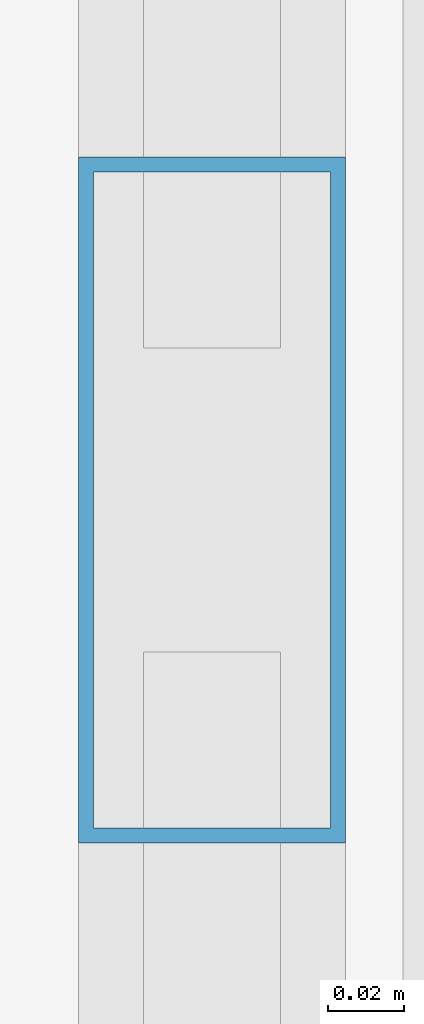
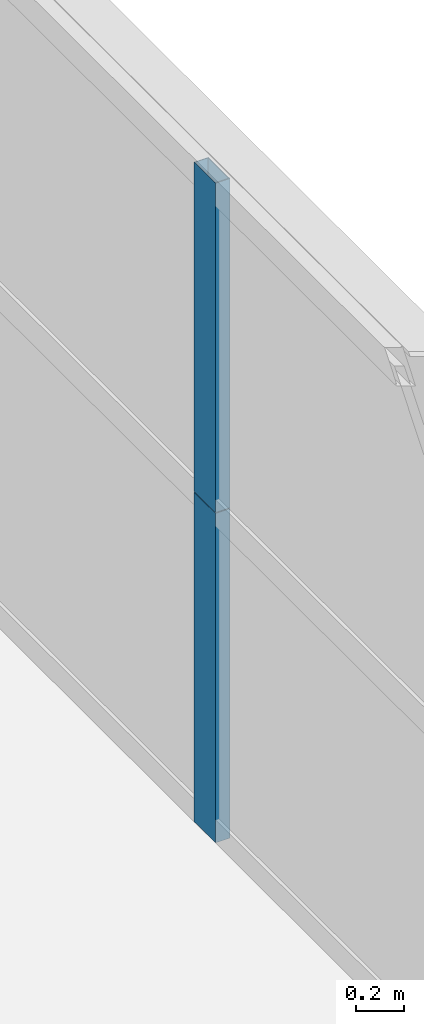
# One storey, part 18 of 41: 2 members, 1 element without a shape of its own.
"""IFC4 building model written with IfcOpenShell, lengths in metres."""

from ifc_helpers import new_model, si_unit, direction, frame, origin, origin_2d, place, context, subcontext, project, spatial, hollow_rectangle, extrude, source, transform, mapped, material, layer, layer_set, material_profile, profile_set, type_object, element, aggregate, save


model = new_model("IFC4")

# Units and contexts
model_context = context("Model", 3, precision=1e-05, world=origin(), true_north=direction((0.0, 1.0)))
body_context = subcontext(model_context, "Body", "Model", "MODEL_VIEW")
ifc_project = project(units=[si_unit("LENGTHUNIT", "METRE"), si_unit("AREAUNIT", "SQUARE_METRE"), si_unit("VOLUMEUNIT", "CUBIC_METRE"), si_unit("PLANEANGLEUNIT", "RADIAN"), si_unit("MASSUNIT", "GRAM", prefix="KILO"), si_unit("THERMODYNAMICTEMPERATUREUNIT", "KELVIN"), si_unit("POWERUNIT", "WATT")], contexts=[model_context])

# Site, building, storey
site_placement = place(None, origin())
site = spatial("IfcSite", under=ifc_project, at=site_placement, CompositionType="ELEMENT")
building_placement = place(site_placement, origin())
building = spatial("IfcBuilding", under=site, at=building_placement, Name="Yuzanri Waterfront Tower", CompositionType="ELEMENT")
storey_placement = place(building_placement, frame((0.0, 0.0, 115.39990234375)))
storey = spatial("IfcBuildingStorey", under=building, at=storey_placement, Name="L30", CompositionType="ELEMENT", Elevation=115.39990234375)

# Curtain wall, members
ifc_material_1 = material(Name="Anodized Architectural Bronze", Category="metal")
ifc_layer = layer(ifc_material_1, 0.159912109375)
ifc_layer_set = layer_set([ifc_layer], Name="Anodized Architectural Bronze")
curtain_wall_type = type_object("IfcCurtainWallType", Name="Anodized Bronze Hotel Upper-Tier Solar-Control Unitized Curtain Wall 7800", PredefinedType="NOTDEFINED", material=ifc_layer_set)
curtain_wall_placement = place(storey_placement, origin())
curtain_wall = element("IfcCurtainWall", 1, at=curtain_wall_placement, inside=storey, type_object=curtain_wall_type, Name="L30 Curtain Wall CW-L30-EL", PredefinedType="NOTDEFINED")
ifc_material_2 = material(Name="Anodized Architectural Bronze", Category="metal")
ifc_material_profile = material_profile(ifc_material_2, hollow_rectangle(XDim=0.070068359375, YDim=0.179931640625, WallThickness=0.00390625, at=origin_2d()), Name="CWM 70x180")
ifc_profile_set = profile_set([ifc_material_profile], Name="Anodized Architectural Bronze")
member_type = type_object("IfcMemberType", Name="Anodized Bronze Standard Curtain-Wall Mullion 70x180", PredefinedType="MULLION", material=ifc_profile_set)
shared_shape = source(origin(), body_context, "Body", "SweptSolid", [
    extrude(hollow_rectangle(XDim=0.070068359375, YDim=0.179931640625, WallThickness=0.00390625, at=origin_2d()), origin(), (0.0, 0.0, 1.0), 1.68798828125),
])
member_1_placement = place(storey_placement, frame((60.449951171875, 17.449951171875, 0.0), z_axis=(0.0, 0.0, 1.0), x_axis=(1.0, 0.0, 0.0)))
member_1 = element("IfcMember", 2, at=member_1_placement, type_object=member_type, Name="CW-L30-EL Lower Mullion 01", PredefinedType="MULLION", context=body_context, shape_type="MappedRepresentation", body=[
    mapped(shared_shape, transform((0.0, 0.0, 0.0), scale=1.0)),
])
member_2_placement = place(storey_placement, frame((60.449951171875, 17.449951171875, 1.692138671875), z_axis=(0.0, 0.0, 1.0), x_axis=(1.0, 0.0, 0.0)))
member_2 = element("IfcMember", 3, at=member_2_placement, type_object=member_type, Name="CW-L30-EL Upper Mullion 01", PredefinedType="MULLION", context=body_context, shape_type="MappedRepresentation", body=[
    mapped(shared_shape, transform((0.0, 0.0, 0.0), scale=1.0)),
])
aggregate(curtain_wall, [member_1, member_2])

save(model, "model.ifc")
